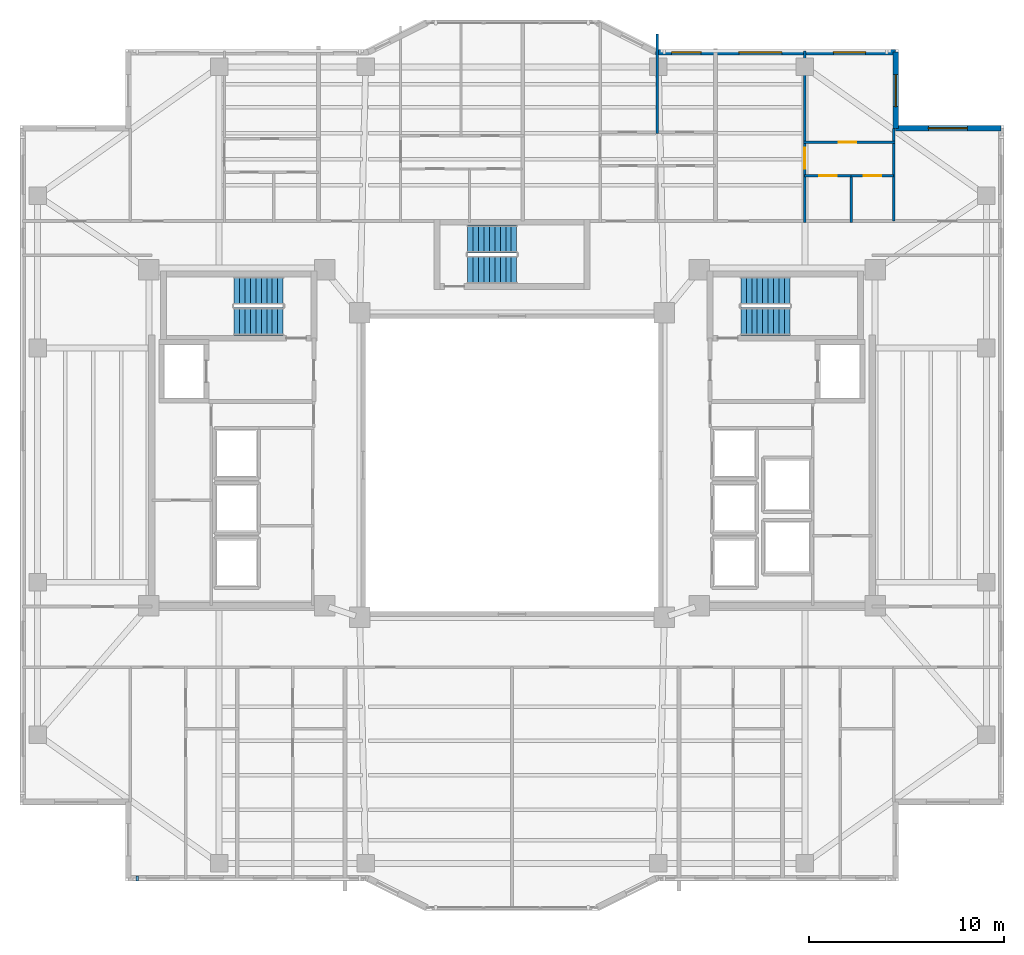
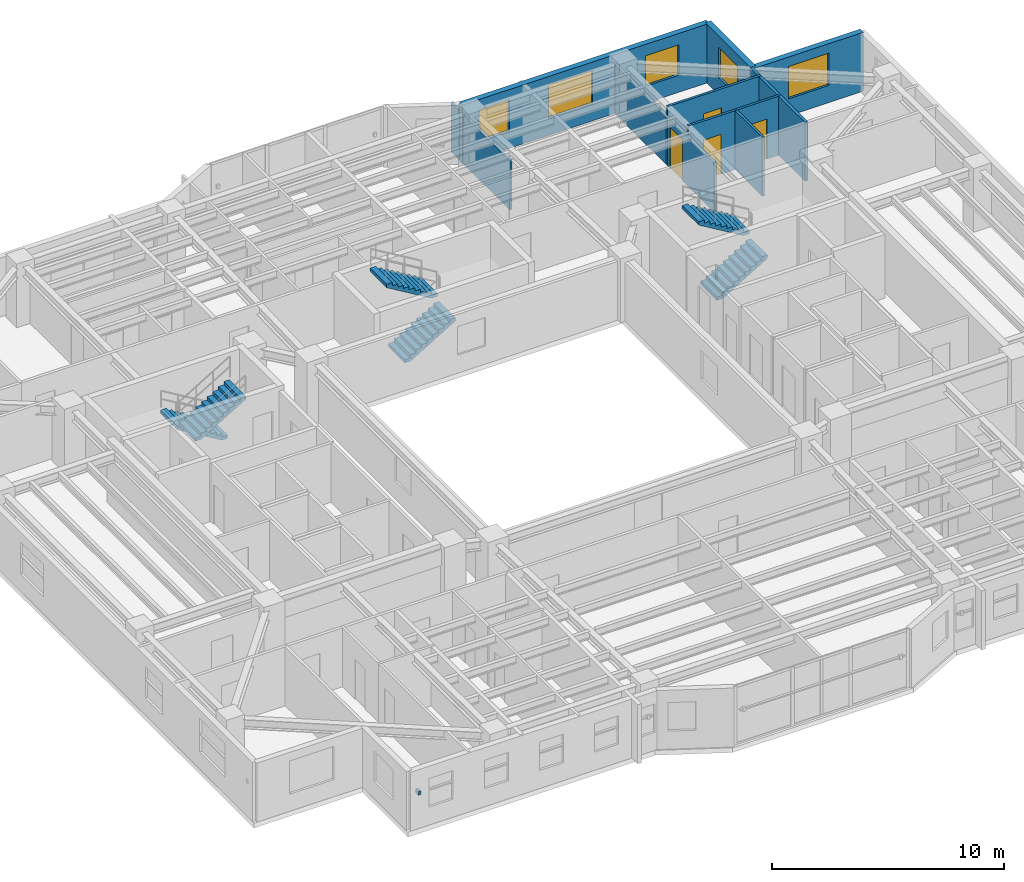
# One storey, part 11 of 16: 10 walls, 6 stair flights, 5 windows, 4 doors, 1 discrete accessory, 9 openings, 3 elements without a shape of their own.
"""IFC4 building model written with IfcOpenShell, lengths in metres."""

import ifcopenshell
import ifcopenshell.guid

model = None  # the IFC model being written
_history = None  # IfcOwnerHistory: only IFC2X3 demands one
_inside = {}  # id of a spatial element -> (the spatial element, [elements in it])
_under = {}  # id of a project, library or spatial element -> (it, [spatial elements below it])
_declared = {}  # id of a project -> (the project, [libraries it declares])
_typed = {}  # id of a type object -> (the type object, [elements of that type])
_made_of = {}  # id of a material, layer set ... -> (it, [elements and type objects made of it])


def new_model(schema):
    """Start an empty IFC model of exactly this schema.

    Asked for "IFC4X3", IfcOpenShell would pick the latest addendum, in which some entities
    have other attributes; the version numbers below select the first issue.
    IFC2X3 requires an IfcOwnerHistory on every rooted entity: one is made here for all.
    """
    global model, _history
    if schema == "IFC4X3":
        model = ifcopenshell.file(schema_version=(4, 3, 0, 0))
    else:
        model = ifcopenshell.file(schema=schema)
    _inside.clear()
    _under.clear()
    _declared.clear()
    _typed.clear()
    _made_of.clear()
    _history = None
    if model.schema == "IFC2X3":
        org = make("IfcOrganization", Name="unknown")
        user = make(
            "IfcPersonAndOrganization",
            ThePerson=make("IfcPerson", FamilyName="unknown"),
            TheOrganization=org,
        )
        app = make(
            "IfcApplication",
            ApplicationDeveloper=org,
            Version="unknown",
            ApplicationFullName="unknown",
            ApplicationIdentifier="unknown",
        )
        _history = make(
            "IfcOwnerHistory",
            OwningUser=user,
            OwningApplication=app,
            ChangeAction="ADDED",
            CreationDate=0,
        )
    return model


def make(cls, **values):
    """One entity of the class cls with the attributes given. An attribute that is None is left unset."""
    return model.create_entity(
        cls, **{name: value for name, value in values.items() if value is not None}
    )


def rooted(cls, **values):
    """An entity with a GlobalId (a new one), such as an element, a storey or a relation."""
    return make(cls, GlobalId=ifcopenshell.guid.new(), OwnerHistory=_history, **values)


def si_unit(unit_type, name, prefix=None):
    """IfcSIUnit, for example si_unit("LENGTHUNIT", "METRE", prefix="MILLI")."""
    return make("IfcSIUnit", UnitType=unit_type, Prefix=prefix, Name=name)


def assignment(units):
    """IfcUnitAssignment: the units of a project."""
    return None if units is None else make("IfcUnitAssignment", Units=units)


def point(xyz):
    """IfcCartesianPoint."""
    return None if xyz is None else make("IfcCartesianPoint", Coordinates=xyz)


def direction(xyz):
    """IfcDirection."""
    return None if xyz is None else make("IfcDirection", DirectionRatios=xyz)


def frame(location, z_axis=None, x_axis=None):
    """IfcAxis2Placement3D, a coordinate frame: its origin and axes. An axis left out is left unset."""
    return make(
        "IfcAxis2Placement3D",
        Location=point(location),
        Axis=direction(z_axis),
        RefDirection=direction(x_axis),
    )


def frame_2d(location, x_axis=None):
    """IfcAxis2Placement2D, a coordinate frame in the plane: its origin and x axis."""
    return make(
        "IfcAxis2Placement2D", Location=point(location), RefDirection=direction(x_axis)
    )


def origin():
    """The frame at (0, 0, 0) with its axes left unset."""
    return frame((0.0, 0.0, 0.0))


def origin_2d():
    """The frame at (0, 0) in the plane with its x axis left unset."""
    return frame_2d((0.0, 0.0))


def place(relative_to, where):
    """IfcLocalPlacement: puts the frame where relative to a parent placement (None: the world)."""
    return make(
        "IfcLocalPlacement", PlacementRelTo=relative_to, RelativePlacement=where
    )


def context(
    kind, dimensions, precision=None, world=None, true_north=None, identifier=None
):
    """IfcGeometricRepresentationContext, for example the 3D "Model" context."""
    return make(
        "IfcGeometricRepresentationContext",
        ContextIdentifier=identifier,
        ContextType=kind,
        CoordinateSpaceDimension=dimensions,
        Precision=precision,
        WorldCoordinateSystem=world,
        TrueNorth=true_north,
    )


def subcontext(parent, identifier, kind, view, scale=None):
    """IfcGeometricRepresentationSubContext, for example "Body" below "Model"."""
    return make(
        "IfcGeometricRepresentationSubContext",
        ContextIdentifier=identifier,
        ContextType=kind,
        ParentContext=parent,
        TargetScale=scale,
        TargetView=view,
    )


def project(units=None, contexts=None):
    """IfcProject with its units and contexts."""
    return rooted(
        "IfcProject",
        Name="project",
        RepresentationContexts=contexts,
        UnitsInContext=assignment(units),
    )


def spatial(cls, under=None, at=None, **own):
    """A site, building, storey or space (cls), placed at a placement, below another one or the project."""
    s = rooted(cls, ObjectPlacement=at, **own)
    if under is not None:
        _under.setdefault(under.id(), (under, []))[1].append(s)
    return s


def polyline(points):
    """IfcPolyline through the points."""
    return make("IfcPolyline", Points=[point(p) for p in points])


def profile(cls, at=None, kind="AREA", **sizes):
    """A parametric profile (cls). Its sizes go by their IFC names, for example OverallWidth=200.0."""
    return make(cls, ProfileType=kind, Position=at, **sizes)


def rectangle(**sizes):
    """IfcRectangleProfileDef."""
    return profile("IfcRectangleProfileDef", **sizes)


def outline(outer, holes=None, kind="AREA"):
    """IfcArbitraryClosedProfileDef: a profile drawn as a closed curve; with holes, ...WithVoids."""
    if holes is None:
        return make("IfcArbitraryClosedProfileDef", ProfileType=kind, OuterCurve=outer)
    return make(
        "IfcArbitraryProfileDefWithVoids",
        ProfileType=kind,
        OuterCurve=outer,
        InnerCurves=holes,
    )


def extrude(swept, where, along, depth):
    """IfcExtrudedAreaSolid: the profile swept, set in the frame where, extruded along a direction by depth."""
    return make(
        "IfcExtrudedAreaSolid",
        SweptArea=swept,
        Position=where,
        ExtrudedDirection=direction(along),
        Depth=depth,
    )


def shape(context_of_items, identifier, shape_type, items):
    """IfcShapeRepresentation: the items that make up one representation, for example the "Body"."""
    return make(
        "IfcShapeRepresentation",
        ContextOfItems=context_of_items,
        RepresentationIdentifier=identifier,
        RepresentationType=shape_type,
        Items=items,
    )


def material(Name=None, Category=None):
    """IfcMaterial."""
    return make("IfcMaterial", Name=Name, Category=Category)


def layer(
    of_material, thickness, ventilated=None, Name=None, Category=None, Priority=None
):
    """IfcMaterialLayer: one layer of a wall or slab, of a material (None: an air gap)."""
    return make(
        "IfcMaterialLayer",
        Material=of_material,
        LayerThickness=thickness,
        IsVentilated=ventilated,
        Name=Name,
        Category=Category,
        Priority=Priority,
    )


def layer_set(layers, Name=None):
    """IfcMaterialLayerSet."""
    return make("IfcMaterialLayerSet", MaterialLayers=layers, LayerSetName=Name)


def made_of(thing, what):
    """Note that an element or type object is made of a material, layer set ...; save() writes the relation."""
    if what is not None:
        _made_of.setdefault(what.id(), (what, []))[1].append(thing)
    return thing


def type_object(cls, material=None, **own):
    """A type object (cls), such as IfcWallType, which elements share."""
    return made_of(rooted(cls, **own), material)


def element(
    cls,
    number,
    at=None,
    inside=None,
    cuts=None,
    type_object=None,
    material=None,
    context=None,
    identifier="Body",
    shape_type=None,
    held_by="IfcProductDefinitionShape",
    body=None,
    shapes=None,
    **own,
):
    """One element of the class cls, such as IfcWall. Its Tag is "e" and its number.

    at: its placement. inside: the storey or other place that contains it. cuts: it is an
    opening in that element (IfcRelVoidsElement). A single representation is given by context,
    identifier, shape_type and body (its items); several are given by shapes. held_by: the class
    of the entity that holds the representations. save() writes the other relations.
    """
    e = rooted(cls, Tag="e%d" % number, ObjectPlacement=at, **own)
    if body is not None:
        shapes = [shape(context, identifier, shape_type, body)]
    if shapes is not None:
        e.Representation = make(held_by, Representations=shapes)
    if inside is not None:
        _inside.setdefault(inside.id(), (inside, []))[1].append(e)
    if cuts is not None:
        rooted(
            "IfcRelVoidsElement", RelatingBuildingElement=cuts, RelatedOpeningElement=e
        )
    if type_object is not None:
        _typed.setdefault(type_object.id(), (type_object, []))[1].append(e)
    return made_of(e, material)


def fill(opening, filler):
    """IfcRelFillsElement: the door or window that sits in an opening."""
    return rooted(
        "IfcRelFillsElement",
        RelatingOpeningElement=opening,
        RelatedBuildingElement=filler,
    )


def aggregate(whole, parts):
    """IfcRelAggregates: a whole, such as a stair, and the parts it consists of."""
    return rooted("IfcRelAggregates", RelatingObject=whole, RelatedObjects=parts)


def save(model, path):
    """Write the relations noted so far, then the file.

    IfcRelAggregates (storeys below a building ...), IfcRelContainedInSpatialStructure (elements
    in a storey), IfcRelDefinesByType, IfcRelAssociatesMaterial and IfcRelDeclares: one each for
    every whole, place, type object, material and project.
    """
    for whole, parts in _under.values():
        aggregate(whole, parts)
    for where, things in _inside.values():
        rooted(
            "IfcRelContainedInSpatialStructure",
            RelatedElements=things,
            RelatingStructure=where,
        )
    for kind, things in _typed.values():
        rooted("IfcRelDefinesByType", RelatedObjects=things, RelatingType=kind)
    for what, things in _made_of.values():
        rooted("IfcRelAssociatesMaterial", RelatedObjects=things, RelatingMaterial=what)
    for by, libraries in _declared.values():
        rooted("IfcRelDeclares", RelatingContext=by, RelatedDefinitions=libraries)
    model.write(path)


model = new_model("IFC4")

# Units and contexts
model_context = context("Model", 3, precision=1e-05, world=origin(), true_north=direction((0.0, 1.0)))
body_context = subcontext(model_context, "Body", "Model", "MODEL_VIEW")
ifc_project = project(units=[si_unit("LENGTHUNIT", "METRE"), si_unit("AREAUNIT", "SQUARE_METRE"), si_unit("VOLUMEUNIT", "CUBIC_METRE"), si_unit("PLANEANGLEUNIT", "RADIAN"), si_unit("MASSUNIT", "GRAM", prefix="KILO")], contexts=[model_context])

# Site, building, storey
site_placement = place(None, origin())
site = spatial("IfcSite", under=ifc_project, at=site_placement, CompositionType="ELEMENT")
building_placement = place(site_placement, origin())
building = spatial("IfcBuilding", under=site, at=building_placement, Name="Tarnavaz Court Tower", CompositionType="ELEMENT")
storey_placement = place(building_placement, frame((0.0, 0.0, 156.050048828125)))
storey = spatial("IfcBuildingStorey", under=building, at=storey_placement, Name="L42", CompositionType="ELEMENT", Elevation=156.050048828125)

# Wall, openings, windows
ifc_material_1 = material(Name="Precast Concrete C40/50", Category="concrete")
ifc_layer_1 = layer(ifc_material_1, 0.280029296875)
ifc_layer_set_1 = layer_set([ifc_layer_1], Name="Precast Concrete C40/50")
wall_type_1 = type_object("IfcWallType", Name="WL-EXT-280", PredefinedType="SOLIDWALL", material=ifc_layer_set_1)
wall_1_placement = place(storey_placement, frame((7.35009765625, 21.14990234375, 0.0), z_axis=(0.0, 0.0, 1.0), x_axis=(1.0, 0.0, 0.0)))
wall_1 = element("IfcWall", 1, at=wall_1_placement, inside=storey, type_object=wall_type_1, Name="L42 Exterior Terracotta Facade Wall 09", PredefinedType="SOLIDWALL", context=body_context, shape_type="SweptSolid", body=[
    extrude(rectangle(XDim=12.2998046875, YDim=0.280029296875, at=frame_2d((6.14990234375, 0.0))), origin(), (0.0, 0.0, 1.0), 3.099853515625),
])
opening_1_placement = place(wall_1_placement, frame((0.831298828125, 0.0, 0.89990234375)))
opening_1 = element("IfcOpeningElement", 2, at=opening_1_placement, cuts=wall_1, Name="Opening W03", PredefinedType="OPENING", context=body_context, shape_type="SweptSolid", body=[
    extrude(rectangle(XDim=1.5, YDim=1.64990234375, at=frame_2d((0.75, 0.824951171875))), frame((0.0, 0.14990234375, 0.0), z_axis=(0.0, -1.0, 0.0), x_axis=(1.0, 0.0, 0.0)), (0.0, 0.0, 1.0), 0.300048828125),
])
opening_2_placement = place(wall_1_placement, frame((4.271728515625, 0.0, 0.89990234375)))
opening_2 = element("IfcOpeningElement", 3, at=opening_2_placement, cuts=wall_1, Name="Opening W07", PredefinedType="OPENING", context=body_context, shape_type="SweptSolid", body=[
    extrude(rectangle(XDim=2.199951171875, YDim=1.75, at=frame_2d((1.10009765625, 0.875))), frame((0.0, 0.14990234375, 0.0), z_axis=(0.0, -1.0, 0.0), x_axis=(1.0, 0.0, 0.0)), (0.0, 0.0, 1.0), 0.300048828125),
])
opening_3_placement = place(wall_1_placement, frame((9.115478515625, 0.0, 0.89990234375)))
opening_3 = element("IfcOpeningElement", 4, at=opening_3_placement, cuts=wall_1, Name="Opening W02", PredefinedType="OPENING", context=body_context, shape_type="SweptSolid", body=[
    extrude(rectangle(XDim=1.64990234375, YDim=1.60009765625, at=frame_2d((0.824951171875, 0.800048828125))), frame((0.0, 0.14990234375, 0.0), z_axis=(0.0, -1.0, 0.0), x_axis=(1.0, 0.0, 0.0)), (0.0, 0.0, 1.0), 0.300048828125),
])
ifc_material_2 = material(Name="Double-Glazed Solar Low-E Glass", Category="glass")
window_type_1 = type_object("IfcWindowType", Name="WN-APT-1500", PartitioningType="DOUBLE_PANEL_VERTICAL", PredefinedType="WINDOW", material=ifc_material_2)
window_1_placement = place(opening_1_placement, origin())
window_1 = element("IfcWindow", 5, at=window_1_placement, inside=storey, type_object=window_type_1, Name="L42 Flat 03 Bedroom 2 Window", OverallHeight=1.64990234375, OverallWidth=1.5, PartitioningType="SINGLE_PANEL", PredefinedType="WINDOW", context=body_context, shape_type="SweptSolid", body=[
    extrude(rectangle(XDim=1.5, YDim=1.64990234375, at=frame_2d((0.75, 0.824951171875))), frame((0.0, 0.030029296875, 0.0), z_axis=(0.0, -1.0, 0.0), x_axis=(1.0, 0.0, 0.0)), (0.0, 0.0, 1.0), 0.06005859375),
])
fill(opening_1, window_1)
window_type_2 = type_object("IfcWindowType", Name="WN-APT-1650", PartitioningType="DOUBLE_PANEL_VERTICAL", PredefinedType="WINDOW", material=ifc_material_2)
window_2_placement = place(opening_3_placement, origin())
window_2 = element("IfcWindow", 6, at=window_2_placement, inside=storey, type_object=window_type_2, Name="L42 Flat 04 Bedroom 1 Window", OverallHeight=1.60009765625, OverallWidth=1.64990234375, PartitioningType="SINGLE_PANEL", PredefinedType="WINDOW", context=body_context, shape_type="SweptSolid", body=[
    extrude(rectangle(XDim=1.64990234375, YDim=1.60009765625, at=frame_2d((0.824951171875, 0.800048828125))), frame((0.0, 0.030029296875, 0.0), z_axis=(0.0, -1.0, 0.0), x_axis=(1.0, 0.0, 0.0)), (0.0, 0.0, 1.0), 0.06005859375),
])
fill(opening_3, window_2)
window_type_3 = type_object("IfcWindowType", Name="WN-APT-2200", PartitioningType="TRIPLE_PANEL_VERTICAL", PredefinedType="WINDOW", material=ifc_material_2)
window_3_placement = place(opening_2_placement, origin())
window_3 = element("IfcWindow", 7, at=window_3_placement, inside=storey, type_object=window_type_3, Name="L42 Flat 04 Living and Dining Room Window", OverallHeight=1.75, OverallWidth=2.199951171875, PartitioningType="SINGLE_PANEL", PredefinedType="WINDOW", context=body_context, shape_type="SweptSolid", body=[
    extrude(rectangle(XDim=2.199951171875, YDim=1.75, at=frame_2d((1.10009765625, 0.875))), frame((0.0, 0.030029296875, 0.0), z_axis=(0.0, -1.0, 0.0), x_axis=(1.0, 0.0, 0.0)), (0.0, 0.0, 1.0), 0.06005859375),
])
fill(opening_2, window_3)

# Wall, opening, window
wall_2_placement = place(storey_placement, frame((19.64990234375, 21.14990234375, 0.0), z_axis=(0.0, 0.0, 1.0), x_axis=(0.0, -1.0, 0.0)))
wall_2 = element("IfcWall", 8, at=wall_2_placement, inside=storey, type_object=wall_type_1, Name="L42 Exterior Terracotta Facade Wall 10", PredefinedType="SOLIDWALL", context=body_context, shape_type="SweptSolid", body=[
    extrude(rectangle(XDim=3.89990234375, YDim=0.280029296875, at=frame_2d((1.949951171875, 0.0))), origin(), (0.0, 0.0, 1.0), 3.099853515625),
])
opening_4_placement = place(wall_2_placement, frame((1.142822265625, 0.0, 0.89990234375)))
opening_4 = element("IfcOpeningElement", 9, at=opening_4_placement, cuts=wall_2, Name="Opening W02", PredefinedType="OPENING", context=body_context, shape_type="SweptSolid", body=[
    extrude(rectangle(XDim=1.64990234375, YDim=1.60009765625, at=frame_2d((0.824951171875, 0.800048828125))), frame((0.0, 0.14990234375, 0.0), z_axis=(0.0, -1.0, 0.0), x_axis=(1.0, 0.0, 0.0)), (0.0, 0.0, 1.0), 0.300048828125),
])
window_4_placement = place(opening_4_placement, origin())
window_4 = element("IfcWindow", 10, at=window_4_placement, inside=storey, type_object=window_type_2, Name="L42 Flat 04 Bedroom 1 Window", OverallHeight=1.60009765625, OverallWidth=1.64990234375, PartitioningType="SINGLE_PANEL", PredefinedType="WINDOW", context=body_context, shape_type="SweptSolid", body=[
    extrude(rectangle(XDim=1.64990234375, YDim=1.60009765625, at=frame_2d((0.824951171875, 0.800048828125))), frame((0.0, 0.030029296875, 0.0), z_axis=(0.0, -1.0, 0.0), x_axis=(1.0, 0.0, 0.0)), (0.0, 0.0, 1.0), 0.06005859375),
])
fill(opening_4, window_4)

wall_3_placement = place(storey_placement, frame((19.64990234375, 17.25, 0.0), z_axis=(0.0, 0.0, 1.0), x_axis=(1.0, 0.0, 0.0)))
wall_3 = element("IfcWall", 11, at=wall_3_placement, inside=storey, type_object=wall_type_1, Name="L42 Exterior Terracotta Facade Wall 11", PredefinedType="SOLIDWALL", context=body_context, shape_type="SweptSolid", body=[
    extrude(rectangle(XDim=5.400146484375, YDim=0.280029296875, at=frame_2d((2.7001953125, 0.0))), origin(), (0.0, 0.0, 1.0), 3.099853515625),
])
opening_5_placement = place(wall_3_placement, frame((1.675048828125, 0.0, 0.89990234375)))
opening_5 = element("IfcOpeningElement", 12, at=opening_5_placement, cuts=wall_3, Name="Opening W08", PredefinedType="OPENING", context=body_context, shape_type="SweptSolid", body=[
    extrude(rectangle(XDim=2.0, YDim=1.699951171875, at=frame_2d((1.0, 0.85009765625))), frame((0.0, 0.14990234375, 0.0), z_axis=(0.0, -1.0, 0.0), x_axis=(1.0, 0.0, 0.0)), (0.0, 0.0, 1.0), 0.300048828125),
])
window_type_4 = type_object("IfcWindowType", Name="WN-APT-2000", PartitioningType="DOUBLE_PANEL_VERTICAL", PredefinedType="WINDOW", material=ifc_material_2)
window_5_placement = place(opening_5_placement, origin())
window_5 = element("IfcWindow", 13, at=window_5_placement, inside=storey, type_object=window_type_4, Name="L42 North-East Corner Sunroom Study Window", OverallHeight=1.699951171875, OverallWidth=2.0, PartitioningType="SINGLE_PANEL", PredefinedType="WINDOW", context=body_context, shape_type="SweptSolid", body=[
    extrude(rectangle(XDim=2.0, YDim=1.699951171875, at=frame_2d((1.0, 0.85009765625))), frame((0.0, 0.030029296875, 0.0), z_axis=(0.0, -1.0, 0.0), x_axis=(1.0, 0.0, 0.0)), (0.0, 0.0, 1.0), 0.06005859375),
])
fill(opening_5, window_5)

# Wall
ifc_material_3 = material(Name="Moisture-Resistant Gypsum Board Partition", Category="masonry")
ifc_layer_2 = layer(ifc_material_3, 0.1201171875)
ifc_layer_set_2 = layer_set([ifc_layer_2], Name="Moisture-Resistant Gypsum Board Partition")
wall_type_2 = type_object("IfcWallType", Name="WL-PART-120", PredefinedType="PARTITIONING", material=ifc_layer_set_2)
wall_4_placement = place(storey_placement, frame((7.44189453125, 16.989990234375, 0.0), z_axis=(0.0, 0.0, 1.0), x_axis=(0.0, 1.0, 0.0)))
element("IfcWall", 14, at=wall_4_placement, inside=storey, type_object=wall_type_2, Name="L42 Interior Partition 094", PredefinedType="PARTITIONING", context=body_context, shape_type="SweptSolid", body=[
    extrude(rectangle(XDim=5.087890625, YDim=0.1201171875, at=frame_2d((2.5439453125, 0.0))), origin(), (0.0, 0.0, 1.0), 2.5849609375),
])

# Wall, opening, door
wall_5_placement = place(storey_placement, frame((14.989990234375, 12.43994140625, 0.0), z_axis=(0.0, 0.0, 1.0), x_axis=(0.0, 1.0, 0.0)))
wall_5 = element("IfcWall", 15, at=wall_5_placement, inside=storey, type_object=wall_type_2, Name="L42 Interior Partition 095", PredefinedType="PARTITIONING", context=body_context, shape_type="SweptSolid", body=[
    extrude(rectangle(XDim=8.760009765625, YDim=0.1201171875, at=frame_2d((4.3798828125, 0.0))), origin(), (0.0, 0.0, 1.0), 2.5849609375),
])
opening_6_placement = place(wall_5_placement, frame((2.735107421875, 0.0, 0.0)))
opening_6 = element("IfcOpeningElement", 16, at=opening_6_placement, cuts=wall_5, Name="Opening D12", PredefinedType="OPENING", context=body_context, shape_type="SweptSolid", body=[
    extrude(rectangle(XDim=1.080078125, YDim=2.14990234375, at=frame_2d((0.5400390625, 1.074951171875))), frame((0.0, 0.070068359375, 0.0), z_axis=(0.0, -1.0, 0.0), x_axis=(1.0, 0.0, 0.0)), (0.0, 0.0, 1.0), 0.14013671875),
])
ifc_material_4 = material(Name="Engineered Oak Timber", Category="wood")
door_type_1 = type_object("IfcDoorType", Name="DR-INT-1100", OperationType="NOTDEFINED", PredefinedType="DOOR", material=ifc_material_4)
door_1_placement = place(opening_6_placement, origin())
door_1 = element("IfcDoor", 17, at=door_1_placement, inside=storey, type_object=door_type_1, Name="L42 Flat 04 Foyer Door", OperationType="SINGLE_SWING_LEFT", OverallHeight=2.14990234375, OverallWidth=1.080078125, PredefinedType="DOOR", context=body_context, shape_type="SweptSolid", body=[
    extrude(rectangle(XDim=1.080078125, YDim=2.14990234375, at=frame_2d((0.5400390625, 1.074951171875))), frame((0.0, 0.02490234375, 0.0), z_axis=(0.0, -1.0, 0.0), x_axis=(1.0, 0.0, 0.0)), (0.0, 0.0, 1.0), 0.050048828125),
])
fill(opening_6, door_1)

wall_6_placement = place(storey_placement, frame((14.989990234375, 14.830078125, 0.0), z_axis=(0.0, 0.0, 1.0), x_axis=(1.0, 0.0, 0.0)))
wall_6 = element("IfcWall", 18, at=wall_6_placement, inside=storey, type_object=wall_type_2, Name="L42 Interior Partition 096", PredefinedType="PARTITIONING", context=body_context, shape_type="SweptSolid", body=[
    extrude(rectangle(XDim=2.385009765625, YDim=0.1201171875, at=frame_2d((1.1923828125, 0.0))), origin(), (0.0, 0.0, 1.0), 3.099853515625),
])
opening_7_placement = place(wall_6_placement, frame((0.751953125, 0.0, 0.0)))
opening_7 = element("IfcOpeningElement", 19, at=opening_7_placement, cuts=wall_6, Name="Opening D14", PredefinedType="OPENING", context=body_context, shape_type="SweptSolid", body=[
    extrude(rectangle(XDim=0.8798828125, YDim=2.10009765625, at=frame_2d((0.43994140625, 1.050048828125))), frame((0.0, 0.070068359375, 0.0), z_axis=(0.0, -1.0, 0.0), x_axis=(1.0, 0.0, 0.0)), (0.0, 0.0, 1.0), 0.14013671875),
])
door_type_2 = type_object("IfcDoorType", Name="DR-INT-900", OperationType="NOTDEFINED", PredefinedType="DOOR", material=ifc_material_4)
door_2_placement = place(opening_7_placement, origin())
door_2 = element("IfcDoor", 20, at=door_2_placement, inside=storey, type_object=door_type_2, Name="L42 Flat 04 Kitchen Door", OperationType="SINGLE_SWING_RIGHT", OverallHeight=2.10009765625, OverallWidth=0.8798828125, PredefinedType="DOOR", context=body_context, shape_type="SweptSolid", body=[
    extrude(rectangle(XDim=0.8798828125, YDim=2.10009765625, at=frame_2d((0.43994140625, 1.050048828125))), frame((0.0, 0.02490234375, 0.0), z_axis=(0.0, -1.0, 0.0), x_axis=(1.0, 0.0, 0.0)), (0.0, 0.0, 1.0), 0.050048828125),
])
fill(opening_7, door_2)

wall_7_placement = place(storey_placement, frame((17.375, 14.830078125, 0.0), z_axis=(0.0, 0.0, 1.0), x_axis=(1.0, 0.0, 0.0)))
wall_7 = element("IfcWall", 21, at=wall_7_placement, inside=storey, type_object=wall_type_2, Name="L42 Interior Partition 097", PredefinedType="PARTITIONING", context=body_context, shape_type="SweptSolid", body=[
    extrude(rectangle(XDim=2.175048828125, YDim=0.1201171875, at=frame_2d((1.08740234375, 0.0))), origin(), (0.0, 0.0, 1.0), 3.099853515625),
])
opening_8_placement = place(wall_7_placement, frame((0.64794921875, 0.0, 0.0)))
opening_8 = element("IfcOpeningElement", 22, at=opening_8_placement, cuts=wall_7, Name="Opening D14", PredefinedType="OPENING", context=body_context, shape_type="SweptSolid", body=[
    extrude(rectangle(XDim=0.8798828125, YDim=2.10009765625, at=frame_2d((0.43994140625, 1.050048828125))), frame((0.0, 0.070068359375, 0.0), z_axis=(0.0, -1.0, 0.0), x_axis=(1.0, 0.0, 0.0)), (0.0, 0.0, 1.0), 0.14013671875),
])
door_3_placement = place(opening_8_placement, origin())
door_3 = element("IfcDoor", 23, at=door_3_placement, inside=storey, type_object=door_type_2, Name="L42 Flat 04 Bathroom Door", OperationType="SINGLE_SWING_LEFT", OverallHeight=2.10009765625, OverallWidth=0.8798828125, PredefinedType="DOOR", context=body_context, shape_type="SweptSolid", body=[
    extrude(rectangle(XDim=0.8798828125, YDim=2.10009765625, at=frame_2d((0.43994140625, 1.050048828125))), frame((0.0, 0.02490234375, 0.0), z_axis=(0.0, -1.0, 0.0), x_axis=(1.0, 0.0, 0.0)), (0.0, 0.0, 1.0), 0.050048828125),
])
fill(opening_8, door_3)

wall_8_placement = place(storey_placement, frame((14.929931640625, 16.5400390625, 0.0), z_axis=(0.0, 0.0, 1.0), x_axis=(1.0, 0.0, 0.0)))
wall_8 = element("IfcWall", 24, at=wall_8_placement, inside=storey, type_object=wall_type_2, Name="L42 Interior Partition 098", PredefinedType="PARTITIONING", context=body_context, shape_type="SweptSolid", body=[
    extrude(rectangle(XDim=4.68017578125, YDim=0.1201171875, at=frame_2d((2.340087890625, 0.0))), origin(), (0.0, 0.0, 1.0), 3.099853515625),
])
opening_9_placement = place(wall_8_placement, frame((1.81005859375, 0.0, 0.0)))
opening_9 = element("IfcOpeningElement", 25, at=opening_9_placement, cuts=wall_8, Name="Opening D14", PredefinedType="OPENING", context=body_context, shape_type="SweptSolid", body=[
    extrude(rectangle(XDim=0.8798828125, YDim=2.10009765625, at=frame_2d((0.43994140625, 1.050048828125))), frame((0.0, 0.070068359375, 0.0), z_axis=(0.0, -1.0, 0.0), x_axis=(1.0, 0.0, 0.0)), (0.0, 0.0, 1.0), 0.14013671875),
])
door_4_placement = place(opening_9_placement, origin())
door_4 = element("IfcDoor", 26, at=door_4_placement, inside=storey, type_object=door_type_2, Name="L42 Flat 04 Bedroom 1 Door", OperationType="SINGLE_SWING_RIGHT", OverallHeight=2.10009765625, OverallWidth=0.8798828125, PredefinedType="DOOR", context=body_context, shape_type="SweptSolid", body=[
    extrude(rectangle(XDim=0.8798828125, YDim=2.10009765625, at=frame_2d((0.43994140625, 1.050048828125))), frame((0.0, 0.02490234375, 0.0), z_axis=(0.0, -1.0, 0.0), x_axis=(1.0, 0.0, 0.0)), (0.0, 0.0, 1.0), 0.050048828125),
])
fill(opening_9, door_4)

# Walls
wall_9_placement = place(storey_placement, frame((17.375, 12.43994140625, 0.0), z_axis=(0.0, 0.0, 1.0), x_axis=(0.0, 1.0, 0.0)))
element("IfcWall", 27, at=wall_9_placement, inside=storey, type_object=wall_type_2, Name="L42 Interior Partition 099", PredefinedType="PARTITIONING", context=body_context, shape_type="SweptSolid", body=[
    extrude(rectangle(XDim=2.449951171875, YDim=0.1201171875, at=frame_2d((1.22509765625, 0.0))), origin(), (0.0, 0.0, 1.0), 3.099853515625),
])
ifc_material_5 = material(Name="Gypsum Plasterboard Acoustic Partition", Category="masonry")
ifc_layer_3 = layer(ifc_material_5, 0.139892578125)
ifc_layer_set_3 = layer_set([ifc_layer_3], Name="Gypsum Plasterboard Acoustic Partition")
wall_type_3 = type_object("IfcWallType", Name="WL-PART-150", PredefinedType="PARTITIONING", material=ifc_layer_set_3)
wall_10_placement = place(storey_placement, frame((19.550048828125, 12.5, 0.0), z_axis=(0.0, 0.0, 1.0), x_axis=(0.0, 1.0, 0.0)))
element("IfcWall", 28, at=wall_10_placement, inside=storey, type_object=wall_type_3, Name="L42 Interior Partition 125", PredefinedType="PARTITIONING", context=body_context, shape_type="SweptSolid", body=[
    extrude(rectangle(XDim=4.75, YDim=0.139892578125, at=frame_2d((2.375, 0.0))), origin(), (0.0, 0.0, 1.0), 3.099853515625),
])

# Stair, stair flights
ifc_material_6 = material(Name="Concrete C40/50", Category="concrete")
stair_type = type_object("IfcStairType", Name="ST-TWR-20R", PredefinedType="HALF_TURN_STAIR", material=ifc_material_6)
stair_1_placement = place(storey_placement, origin())
stair_1 = element("IfcStair", 29, at=stair_1_placement, inside=storey, type_object=stair_type, Name="L42 West Core Pressurized Exit Stair ST-W1", PredefinedType="HALF_TURN_STAIR")
stair_flight_type = type_object("IfcStairFlightType", Name="SFL-RC-20R", PredefinedType="STRAIGHT", material=ifc_material_6)
stair_flight_1_placement = place(storey_placement, frame((-11.719970703125, 8.929931640625, 0.0), z_axis=(0.0, 0.0, 1.0), x_axis=(-1.0, 0.0, 0.0)))
stair_flight_1 = element("IfcStairFlight", 30, at=stair_flight_1_placement, type_object=stair_flight_type, Name="ST-W1 flight 1", NumberOfRisers=10, NumberOfTreads=9, PredefinedType="STRAIGHT", RiserHeight=0.1675, TreadLength=0.28, context=body_context, shape_type="SweptSolid", body=[
    extrude(outline(polyline([(0.0, 0.0), (0.0, 0.16748046875), (0.280029296875, 0.16748046875), (0.280029296875, 0.3349609375), (0.56005859375, 0.3349609375), (0.56005859375, 0.50244140625), (0.840087890625, 0.50244140625), (0.840087890625, 0.669921875), (1.1201171875, 0.669921875), (1.1201171875, 0.83740234375), (1.39990234375, 0.83740234375), (1.39990234375, 1.0048828125), (1.679931640625, 1.0048828125), (1.679931640625, 1.172607421875), (1.9599609375, 1.172607421875), (1.9599609375, 1.340087890625), (2.239990234375, 1.340087890625), (2.239990234375, 1.507568359375), (2.52001953125, 1.507568359375), (2.52001953125, 1.675048828125), (2.52001953125, 1.332763671875), (0.2919921875, 0.0), (0.0, 0.0)])), frame((0.0, 0.7099609375, 0.0), z_axis=(0.0, -1.0, 0.0), x_axis=(1.0, 0.0, 0.0)), (0.0, 0.0, 1.0), 1.419921875),
])
stair_flight_2_placement = place(storey_placement, frame((-14.239990234375, 7.360107421875, 1.675048828125), z_axis=(0.0, 0.0, 1.0), x_axis=(1.0, 0.0, 0.0)))
stair_flight_2 = element("IfcStairFlight", 31, at=stair_flight_2_placement, type_object=stair_flight_type, Name="ST-W1 flight 2", NumberOfRisers=10, NumberOfTreads=9, PredefinedType="STRAIGHT", RiserHeight=0.1675, TreadLength=0.28, context=body_context, shape_type="SweptSolid", body=[
    extrude(outline(polyline([(0.0, 0.0), (0.0, 0.16748046875), (0.280029296875, 0.16748046875), (0.280029296875, 0.3349609375), (0.56005859375, 0.3349609375), (0.56005859375, 0.50244140625), (0.840087890625, 0.50244140625), (0.840087890625, 0.669921875), (1.1201171875, 0.669921875), (1.1201171875, 0.83740234375), (1.39990234375, 0.83740234375), (1.39990234375, 1.0048828125), (1.679931640625, 1.0048828125), (1.679931640625, 1.172607421875), (1.9599609375, 1.172607421875), (1.9599609375, 1.340087890625), (2.239990234375, 1.340087890625), (2.239990234375, 1.507568359375), (2.52001953125, 1.507568359375), (2.52001953125, 1.675048828125), (2.52001953125, 1.332763671875), (0.2919921875, 0.0), (0.0, 0.0)])), frame((0.0, 0.7099609375, 0.0), z_axis=(0.0, -1.0, 0.0), x_axis=(1.0, 0.0, 0.0)), (0.0, 0.0, 1.0), 1.419921875),
])
aggregate(stair_1, [stair_flight_1, stair_flight_2])

stair_2_placement = place(storey_placement, origin())
stair_2 = element("IfcStair", 32, at=stair_2_placement, inside=storey, type_object=stair_type, Name="L42 East Core Pressurized Exit Stair ST-E1", PredefinedType="HALF_TURN_STAIR")
stair_flight_3_placement = place(storey_placement, frame((11.719970703125, 7.360107421875, 0.0), z_axis=(0.0, 0.0, 1.0), x_axis=(1.0, 0.0, 0.0)))
stair_flight_3 = element("IfcStairFlight", 33, at=stair_flight_3_placement, type_object=stair_flight_type, Name="ST-E1 flight 1", NumberOfRisers=10, NumberOfTreads=9, PredefinedType="STRAIGHT", RiserHeight=0.1675, TreadLength=0.28, context=body_context, shape_type="SweptSolid", body=[
    extrude(outline(polyline([(0.0, 0.0), (0.0, 0.16748046875), (0.280029296875, 0.16748046875), (0.280029296875, 0.3349609375), (0.56005859375, 0.3349609375), (0.56005859375, 0.50244140625), (0.840087890625, 0.50244140625), (0.840087890625, 0.669921875), (1.1201171875, 0.669921875), (1.1201171875, 0.83740234375), (1.39990234375, 0.83740234375), (1.39990234375, 1.0048828125), (1.679931640625, 1.0048828125), (1.679931640625, 1.172607421875), (1.9599609375, 1.172607421875), (1.9599609375, 1.340087890625), (2.239990234375, 1.340087890625), (2.239990234375, 1.507568359375), (2.52001953125, 1.507568359375), (2.52001953125, 1.675048828125), (2.52001953125, 1.332763671875), (0.2919921875, 0.0), (0.0, 0.0)])), frame((0.0, 0.7099609375, 0.0), z_axis=(0.0, -1.0, 0.0), x_axis=(1.0, 0.0, 0.0)), (0.0, 0.0, 1.0), 1.419921875),
])
stair_flight_4_placement = place(storey_placement, frame((14.239990234375, 8.929931640625, 1.675048828125), z_axis=(0.0, 0.0, 1.0), x_axis=(-1.0, 0.0, 0.0)))
stair_flight_4 = element("IfcStairFlight", 34, at=stair_flight_4_placement, type_object=stair_flight_type, Name="ST-E1 flight 2", NumberOfRisers=10, NumberOfTreads=9, PredefinedType="STRAIGHT", RiserHeight=0.1675, TreadLength=0.28, context=body_context, shape_type="SweptSolid", body=[
    extrude(outline(polyline([(0.0, 0.0), (0.0, 0.16748046875), (0.280029296875, 0.16748046875), (0.280029296875, 0.3349609375), (0.56005859375, 0.3349609375), (0.56005859375, 0.50244140625), (0.840087890625, 0.50244140625), (0.840087890625, 0.669921875), (1.1201171875, 0.669921875), (1.1201171875, 0.83740234375), (1.39990234375, 0.83740234375), (1.39990234375, 1.0048828125), (1.679931640625, 1.0048828125), (1.679931640625, 1.172607421875), (1.9599609375, 1.172607421875), (1.9599609375, 1.340087890625), (2.239990234375, 1.340087890625), (2.239990234375, 1.507568359375), (2.52001953125, 1.507568359375), (2.52001953125, 1.675048828125), (2.52001953125, 1.332763671875), (0.2919921875, 0.0), (0.0, 0.0)])), frame((0.0, 0.7099609375, 0.0), z_axis=(0.0, -1.0, 0.0), x_axis=(1.0, 0.0, 0.0)), (0.0, 0.0, 1.0), 1.419921875),
])
aggregate(stair_2, [stair_flight_3, stair_flight_4])

stair_3_placement = place(storey_placement, origin())
stair_3 = element("IfcStair", 35, at=stair_3_placement, inside=storey, type_object=stair_type, Name="L42 North Ring Pressurized Exit Stair ST-N1", PredefinedType="HALF_TURN_STAIR")
stair_flight_5_placement = place(storey_placement, frame((-2.280029296875, 10.010009765625, 0.0), z_axis=(0.0, 0.0, 1.0), x_axis=(1.0, 0.0, 0.0)))
stair_flight_5 = element("IfcStairFlight", 36, at=stair_flight_5_placement, type_object=stair_flight_type, Name="ST-N1 flight 1", NumberOfRisers=10, NumberOfTreads=9, PredefinedType="STRAIGHT", RiserHeight=0.1675, TreadLength=0.28, context=body_context, shape_type="SweptSolid", body=[
    extrude(outline(polyline([(0.0, 0.0), (0.0, 0.16748046875), (0.280029296875, 0.16748046875), (0.280029296875, 0.3349609375), (0.56005859375, 0.3349609375), (0.56005859375, 0.50244140625), (0.840087890625, 0.50244140625), (0.840087890625, 0.669921875), (1.1201171875, 0.669921875), (1.1201171875, 0.83740234375), (1.39990234375, 0.83740234375), (1.39990234375, 1.0048828125), (1.679931640625, 1.0048828125), (1.679931640625, 1.172607421875), (1.9599609375, 1.172607421875), (1.9599609375, 1.340087890625), (2.239990234375, 1.340087890625), (2.239990234375, 1.507568359375), (2.52001953125, 1.507568359375), (2.52001953125, 1.675048828125), (2.52001953125, 1.332763671875), (0.2919921875, 0.0), (0.0, 0.0)])), frame((0.0, 0.7099609375, 0.0), z_axis=(0.0, -1.0, 0.0), x_axis=(1.0, 0.0, 0.0)), (0.0, 0.0, 1.0), 1.419921875),
])
stair_flight_6_placement = place(storey_placement, frame((0.239990234375, 11.580078125, 1.675048828125), z_axis=(0.0, 0.0, 1.0), x_axis=(-1.0, 0.0, 0.0)))
stair_flight_6 = element("IfcStairFlight", 37, at=stair_flight_6_placement, type_object=stair_flight_type, Name="ST-N1 flight 2", NumberOfRisers=10, NumberOfTreads=9, PredefinedType="STRAIGHT", RiserHeight=0.1675, TreadLength=0.28, context=body_context, shape_type="SweptSolid", body=[
    extrude(outline(polyline([(0.0, 0.0), (0.0, 0.16748046875), (0.280029296875, 0.16748046875), (0.280029296875, 0.3349609375), (0.56005859375, 0.3349609375), (0.56005859375, 0.50244140625), (0.840087890625, 0.50244140625), (0.840087890625, 0.669921875), (1.1201171875, 0.669921875), (1.1201171875, 0.83740234375), (1.39990234375, 0.83740234375), (1.39990234375, 1.0048828125), (1.679931640625, 1.0048828125), (1.679931640625, 1.172607421875), (1.9599609375, 1.172607421875), (1.9599609375, 1.340087890625), (2.239990234375, 1.340087890625), (2.239990234375, 1.507568359375), (2.52001953125, 1.507568359375), (2.52001953125, 1.675048828125), (2.52001953125, 1.332763671875), (0.2919921875, 0.0), (0.0, 0.0)])), frame((0.0, 0.7099609375, 0.0), z_axis=(0.0, -1.0, 0.0), x_axis=(1.0, 0.0, 0.0)), (0.0, 0.0, 1.0), 1.419921875),
])
aggregate(stair_3, [stair_flight_5, stair_flight_6])

# Discrete accessory
ifc_material_7 = material(Name="Anodised Aluminium 6063-T6", Category="aluminium")
discrete_accessory_type = type_object("IfcDiscreteAccessoryType", Name="DA-BRKT-ALU", PredefinedType="BRACKET", material=ifc_material_7)
discrete_accessory_placement = place(storey_placement, frame((-19.199951171875, -21.169921875, 1.75), z_axis=(0.0, 0.0, 1.0), x_axis=(-1.0, 0.0, 0.0)))
element("IfcDiscreteAccessory", 38, at=discrete_accessory_placement, inside=storey, type_object=discrete_accessory_type, Name="L42 Baguette Outrigger Bracket FBG19-2", PredefinedType="BRACKET", context=body_context, shape_type="SweptSolid", body=[
    extrude(rectangle(XDim=0.139892578125, YDim=0.239990234375, at=origin_2d()), origin(), (0.0, 0.0, 1.0), 0.199951171875),
])

save(model, "model.ifc")
